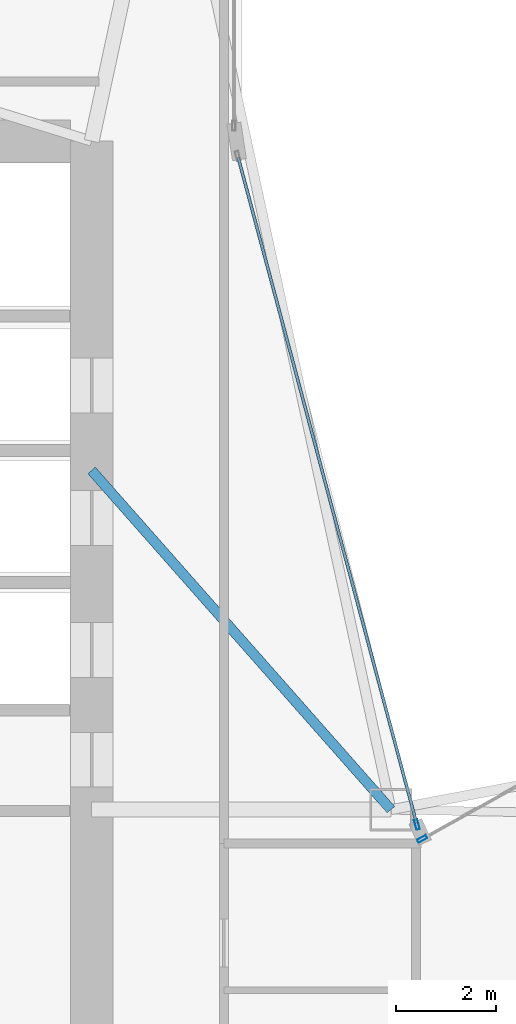
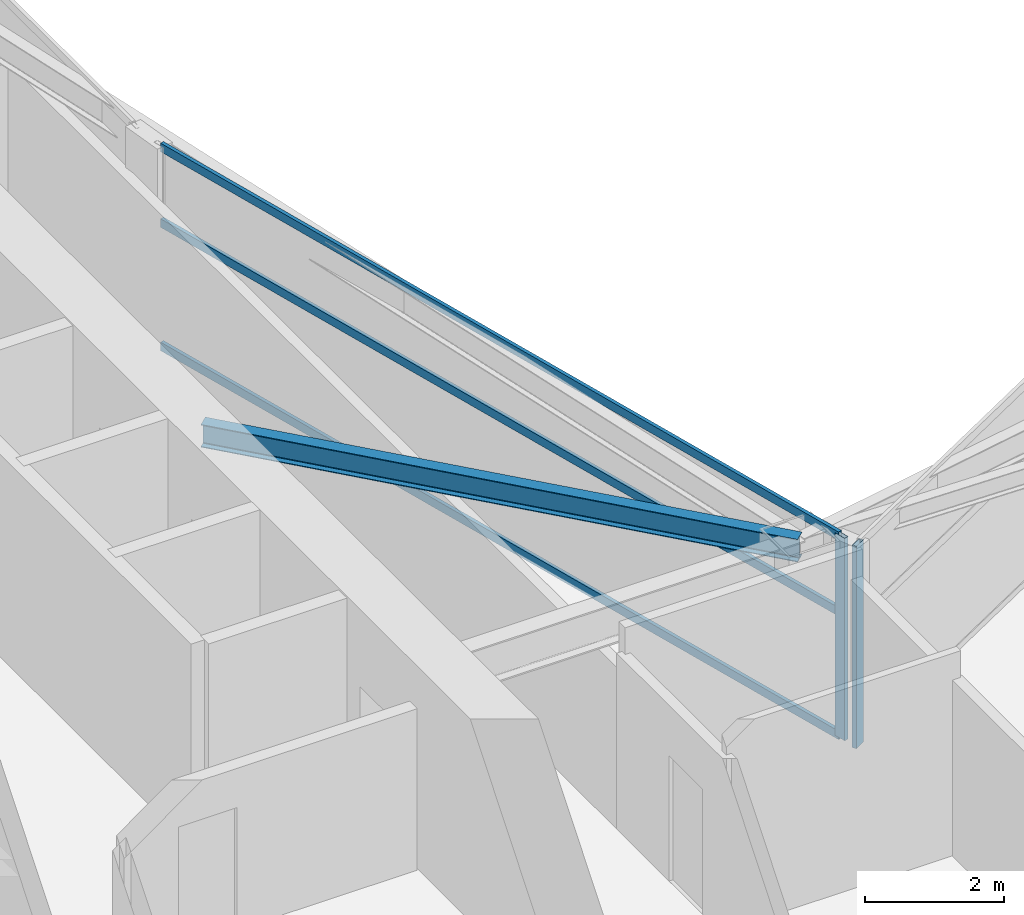
# One storey, part 10 of 28: 5 members, 1 beam, 2 elements without a shape of their own.
"""IFC4 building model written with IfcOpenShell, lengths in metres."""

from ifc_helpers import new_model, si_unit, direction, frame, origin, origin_2d, place, context, subcontext, project, spatial, hollow_rectangle, i_section, extrude, material, layer, layer_set, material_profile, profile_set, type_object, element, aggregate, save


model = new_model("IFC4")

# Units and contexts
model_context = context("Model", 3, precision=1e-05, world=origin(), true_north=direction((0.0, 1.0)))
body_context = subcontext(model_context, "Body", "Model", "MODEL_VIEW")
ifc_project = project(units=[si_unit("LENGTHUNIT", "METRE"), si_unit("AREAUNIT", "SQUARE_METRE"), si_unit("VOLUMEUNIT", "CUBIC_METRE"), si_unit("PLANEANGLEUNIT", "RADIAN"), si_unit("MASSUNIT", "GRAM", prefix="KILO")], contexts=[model_context])

# Site, building, storey
site_placement = place(None, origin())
site = spatial("IfcSite", under=ifc_project, at=site_placement, CompositionType="ELEMENT")
building_placement = place(site_placement, origin())
building = spatial("IfcBuilding", under=site, at=building_placement, Name="Calvorn Quay Hotel", CompositionType="ELEMENT")
storey_placement = place(building_placement, frame((0.0, 0.0, 101.199951171875)))
storey = spatial("IfcBuildingStorey", under=building, at=storey_placement, Name="L24", CompositionType="ELEMENT", Elevation=101.199951171875)

# Beam
ifc_material_1 = material(Name="Steel Q355B", Category="steel")
ifc_material_profile_1 = material_profile(ifc_material_1, i_section(OverallWidth=0.199951171875, OverallDepth=0.39990234375, WebThickness=0.008056640625, FlangeThickness=0.012939453125, FilletRadius=0.01611328125, at=origin_2d()), Name="HN400x200x8x13")
ifc_profile_set_1 = profile_set([ifc_material_profile_1], Name="Steel Q355B")
beam_type = type_object("IfcBeamType", Name="BM-JOIST-TYP", PredefinedType="JOIST", material=ifc_profile_set_1)
beam_placement = place(storey_placement, frame((15.0, 31.800048828125, 3.340087890625), z_axis=(0.661618965899, -0.749840212287, 0.0), x_axis=(0.749840212287, 0.661618965899, 0.0)))
element("IfcBeam", 1, at=beam_placement, inside=storey, type_object=beam_type, Name="Beam BJ-L24-C1", PredefinedType="JOIST", context=body_context, shape_type="SweptSolid", body=[
    extrude(i_section(OverallWidth=0.199951171875, OverallDepth=0.39990234375, WebThickness=0.008056640625, FlangeThickness=0.012939453125, FilletRadius=0.01611328125, at=origin_2d()), origin(), (0.0, 0.0, 1.0), 9.068603515625),
])

# Curtain wall, member
ifc_material_2 = material(Name="Pale Anodised Aluminium and Low-E Glass", Category="aluminium")
ifc_layer = layer(ifc_material_2, 0.219970703125)
ifc_layer_set = layer_set([ifc_layer], Name="CW-SYS-Z2")
curtain_wall_type = type_object("IfcCurtainWallType", Name="CW-SYS-Z2", PredefinedType="NOTDEFINED", material=ifc_layer_set)
curtain_wall_1_placement = place(storey_placement, origin())
curtain_wall_1 = element("IfcCurtainWall", 2, at=curtain_wall_1_placement, inside=storey, type_object=curtain_wall_type, Name="Inner Court Curtain Wall L24-NE1", PredefinedType="NOTDEFINED")
ifc_material_3 = material(Name="Pale Anodised Aluminium 6063-T6", Category="aluminium")
ifc_material_profile_2 = material_profile(ifc_material_3, hollow_rectangle(XDim=0.070068359375, YDim=0.199951171875, WallThickness=0.00390625, at=origin_2d()), Name="ALU-M200x70x4")
ifc_profile_set_2 = profile_set([ifc_material_profile_2], Name="Pale Anodised Aluminium 6063-T6")
member_type_1 = type_object("IfcMemberType", Name="CW-SYS-Z2-MUL", PredefinedType="MULLION", material=ifc_profile_set_2)
member_1_placement = place(storey_placement, frame((21.626220703125, 24.41455078125, 0.0), z_axis=(0.0, 0.0, 1.0), x_axis=(0.486858256224, -0.873480989116, 0.0)))
member_1 = element("IfcMember", 3, at=member_1_placement, type_object=member_type_1, Name="CW-L24-NE1 mullion 4", PredefinedType="MULLION", context=body_context, shape_type="SweptSolid", body=[
    extrude(hollow_rectangle(XDim=0.070068359375, YDim=0.199951171875, WallThickness=0.00390625, at=origin_2d()), origin(), (0.0, 0.0, 1.0), 3.56005859375),
])
aggregate(curtain_wall_1, [member_1])

# Curtain wall, members
curtain_wall_2_placement = place(storey_placement, origin())
curtain_wall_2 = element("IfcCurtainWall", 4, at=curtain_wall_2_placement, inside=storey, type_object=curtain_wall_type, Name="Inner Court Curtain Wall L24-IC1", PredefinedType="NOTDEFINED")
member_2_placement = place(storey_placement, frame((21.520263671875, 24.698974609375, 0.0), z_axis=(0.0, 0.0, 1.0), x_axis=(-0.96593652056, -0.25877913024, 0.0)))
member_2 = element("IfcMember", 5, at=member_2_placement, type_object=member_type_1, Name="CW-L24-IC1 mullion 1", PredefinedType="MULLION", context=body_context, shape_type="SweptSolid", body=[
    extrude(hollow_rectangle(XDim=0.070068359375, YDim=0.199951171875, WallThickness=0.00390625, at=origin_2d()), origin(), (0.0, 0.0, 1.0), 3.56005859375),
])
ifc_material_4 = material(Name="Pale Anodised Aluminium 6063-T6", Category="aluminium")
ifc_material_profile_3 = material_profile(ifc_material_4, hollow_rectangle(XDim=0.06005859375, YDim=0.14990234375, WallThickness=0.00341796875, at=origin_2d()), Name="ALU-T150x60x3.5")
ifc_profile_set_3 = profile_set([ifc_material_profile_3], Name="Pale Anodised Aluminium 6063-T6")
member_type_2 = type_object("IfcMemberType", Name="CW-SYS-Z2-TRN", PredefinedType="USERDEFINED", material=ifc_profile_set_3)
member_3_placement = place(storey_placement, frame((21.512451171875, 24.72802734375, 0.030029296875), z_axis=(-0.258781136883, 0.965935982969, 0.0), x_axis=(-0.965935982969, -0.258781136883, 0.0)))
member_3 = element("IfcMember", 6, at=member_3_placement, type_object=member_type_2, Name="CW-L24-IC1 transom 1.1", ObjectType="TRANSOM", PredefinedType="USERDEFINED", context=body_context, shape_type="SweptSolid", body=[
    extrude(hollow_rectangle(XDim=0.06005859375, YDim=0.14990234375, WallThickness=0.00341796875, at=origin_2d()), origin(), (0.0, 0.0, 1.0), 13.814453125),
])
member_4_placement = place(storey_placement, frame((21.512451171875, 24.72802734375, 2.199951171875), z_axis=(-0.258781136883, 0.965935982969, 0.0), x_axis=(-0.965935982969, -0.258781136883, 0.0)))
member_4 = element("IfcMember", 7, at=member_4_placement, type_object=member_type_2, Name="CW-L24-IC1 transom 1.2", ObjectType="TRANSOM", PredefinedType="USERDEFINED", context=body_context, shape_type="SweptSolid", body=[
    extrude(hollow_rectangle(XDim=0.06005859375, YDim=0.14990234375, WallThickness=0.00341796875, at=origin_2d()), origin(), (0.0, 0.0, 1.0), 13.814453125),
])
member_5_placement = place(storey_placement, frame((21.512451171875, 24.72802734375, 3.530029296875), z_axis=(-0.258781136883, 0.965935982969, 0.0), x_axis=(-0.965935982969, -0.258781136883, 0.0)))
member_5 = element("IfcMember", 8, at=member_5_placement, type_object=member_type_2, Name="CW-L24-IC1 transom 1.3", ObjectType="TRANSOM", PredefinedType="USERDEFINED", context=body_context, shape_type="SweptSolid", body=[
    extrude(hollow_rectangle(XDim=0.06005859375, YDim=0.14990234375, WallThickness=0.00341796875, at=origin_2d()), origin(), (0.0, 0.0, 1.0), 13.814453125),
])
aggregate(curtain_wall_2, [member_2, member_3, member_4, member_5])

save(model, "model.ifc")
